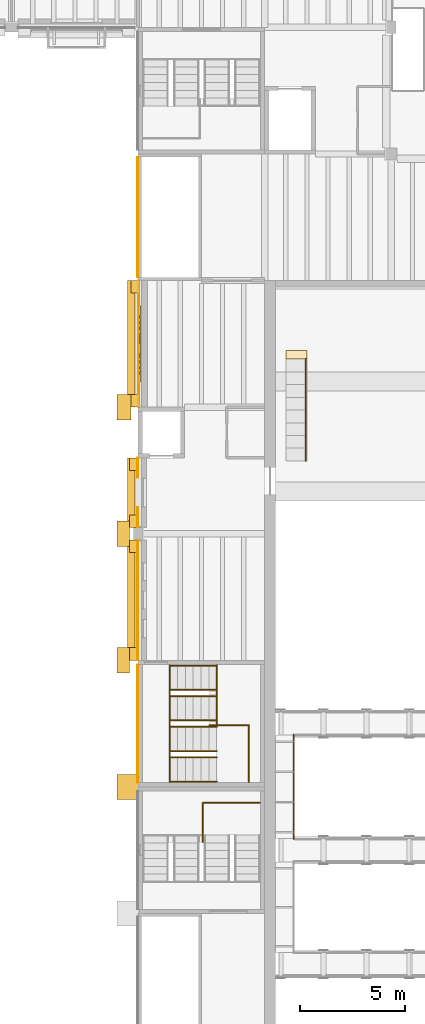
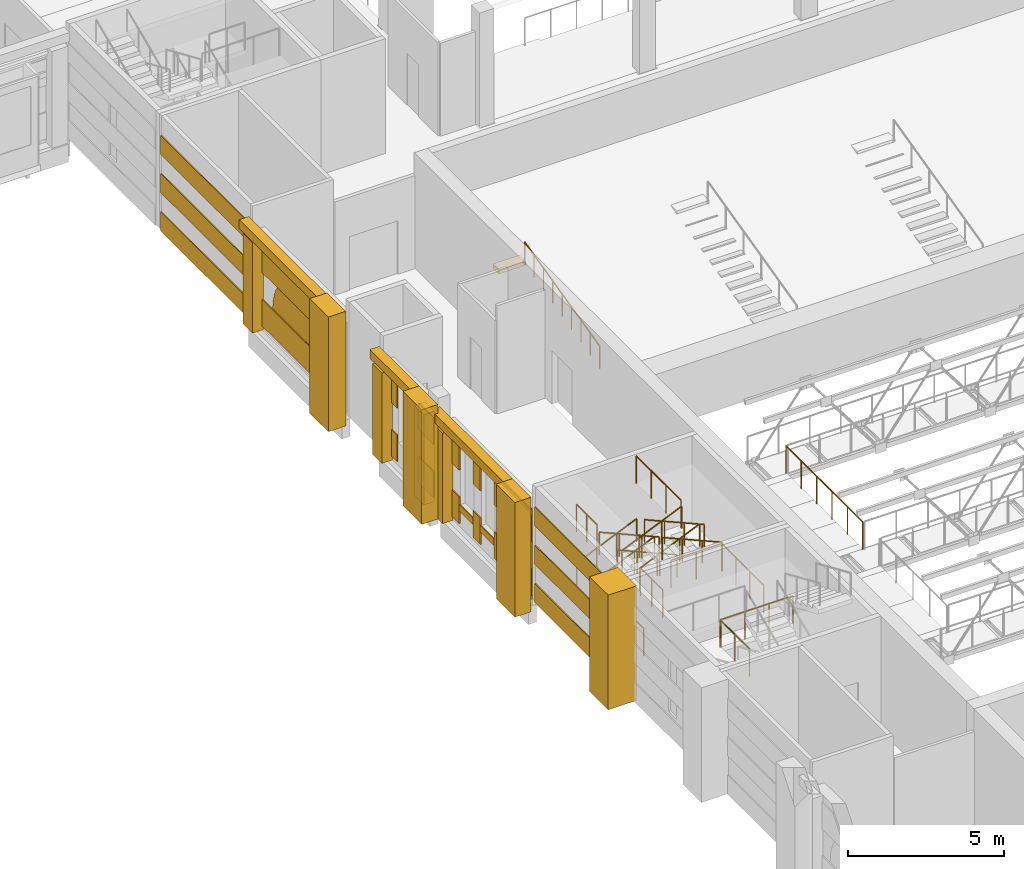
# One storey, part 61 of 70: 37 coverings, 18 railings.
"""IFC4 building model written with IfcOpenShell, lengths in metres."""

from ifc_helpers import new_model, si_unit, direction, frame, origin, origin_2d, place, context, subcontext, project, spatial, polyline, rectangle, circle, outline, extrude, material, layer, layer_set, type_object, element, save


model = new_model("IFC4")

# Units and contexts
model_context = context("Model", 3, precision=1e-05, world=origin(), true_north=direction((0.0, 1.0)))
body_context = subcontext(model_context, "Body", "Model", "MODEL_VIEW")
ifc_project = project(units=[si_unit("LENGTHUNIT", "METRE"), si_unit("AREAUNIT", "SQUARE_METRE"), si_unit("VOLUMEUNIT", "CUBIC_METRE"), si_unit("PLANEANGLEUNIT", "RADIAN"), si_unit("MASSUNIT", "GRAM", prefix="KILO")], contexts=[model_context])

# Site, building, storey
site_placement = place(None, origin())
site = spatial("IfcSite", under=ifc_project, at=site_placement, CompositionType="ELEMENT")
building_placement = place(site_placement, origin())
building = spatial("IfcBuilding", under=site, at=building_placement, Name="Saffron Lane Theatres", CompositionType="ELEMENT")
storey_placement = place(building_placement, frame((0.0, 0.0, 12.0)))
storey = spatial("IfcBuildingStorey", under=building, at=storey_placement, Name="L02", CompositionType="ELEMENT", Elevation=12.0)

# Coverings
ifc_material_1 = material(Name="Masonry pale clay brick", Category="masonry")
ifc_layer_1 = layer(ifc_material_1, 0.050048828125)
ifc_layer_set_1 = layer_set([ifc_layer_1], Name="Masonry pale clay brick")
covering_type_1 = type_object("IfcCoveringType", Name="EX-ARCH PANEL BRICK 50", PredefinedType="CLADDING", material=ifc_layer_set_1)
covering_1_placement = place(storey_placement, frame((12.10009765625, 85.199951171875, 1.199951171875), z_axis=(1.0, 0.0, 0.0), x_axis=(0.0, 0.0, -1.0)))
element("IfcCovering", 1, at=covering_1_placement, inside=storey, type_object=covering_type_1, Name="Blind arch panel 13", PredefinedType="CLADDING", context=body_context, shape_type="SweptSolid", body=[
    extrude(outline(polyline([(0.0, 0.0), (0.89990234375, 0.0), (0.89990234375, 3.60009765625), (0.0, 3.60009765625), (-0.28515625, 3.578125), (-0.56201171875, 3.512939453125), (-0.8271484375, 3.405029296875), (-1.071044921875, 3.258056640625), (-1.291015625, 3.075927734375), (-1.47900390625, 2.862060546875), (-1.633056640625, 2.62109375), (-1.7470703125, 2.360107421875), (-1.820068359375, 2.083984375), (-1.85009765625, 1.800048828125), (-1.820068359375, 1.51611328125), (-1.7470703125, 1.239990234375), (-1.633056640625, 0.97900390625), (-1.47900390625, 0.738037109375), (-1.291015625, 0.524169921875), (-1.071044921875, 0.342041015625), (-0.8271484375, 0.195068359375), (-0.56201171875, 0.087158203125), (-0.28515625, 0.02197265625), (0.0, 0.0)])), origin(), (0.0, 0.0, -1.0), 0.050048828125),
])
ifc_material_2 = material(Name="Masonry sandstone", Category="masonry")
ifc_layer_2 = layer(ifc_material_2, 0.0400390625)
ifc_layer_set_2 = layer_set([ifc_layer_2], Name="Masonry sandstone")
covering_type_2 = type_object("IfcCoveringType", Name="EX-BANDING COURSE SANDSTONE 40", PredefinedType="CLADDING", material=ifc_layer_set_2)
for number, where, z_axis, x_axis, name in (
    (2, (11.97998046875, 69.0, 0.0), (0.0, 0.0, 1.0), (0.0, 1.0, 0.0), "Banding course L02"),
    (3, (11.97998046875, 69.0, 1.5), (0.0, 0.0, 1.0), (0.0, 1.0, 0.0), "Banding course L02"),
    (4, (11.97998046875, 69.0, 3.0), (0.0, 0.0, 1.0), (0.0, 1.0, 0.0), "Banding course L02"),
):
    element("IfcCovering", number, at=place(storey_placement, frame(where, z_axis=z_axis, x_axis=x_axis)), inside=storey, type_object=covering_type_2, Name=name, PredefinedType="CLADDING", context=body_context, shape_type="SweptSolid", body=[
        extrude(rectangle(XDim=5.60009765625, YDim=0.0400390625, at=origin_2d()), origin(), (0.0, 0.0, 1.0), 0.75),
    ])
for number, where, z_axis, x_axis, name in (
    (5, (11.97998046875, 93.0, 0.0), (0.0, 0.0, 1.0), (0.0, 1.0, 0.0), "Banding course L02"),
    (6, (11.97998046875, 93.0, 1.5), (0.0, 0.0, 1.0), (0.0, 1.0, 0.0), "Banding course L02"),
    (7, (11.97998046875, 93.0, 3.0), (0.0, 0.0, 1.0), (0.0, 1.0, 0.0), "Banding course L02"),
):
    element("IfcCovering", number, at=place(storey_placement, frame(where, z_axis=z_axis, x_axis=x_axis)), inside=storey, type_object=covering_type_2, Name=name, PredefinedType="CLADDING", context=body_context, shape_type="SweptSolid", body=[
        extrude(rectangle(XDim=5.699951171875, YDim=0.0400390625, at=origin_2d()), origin(), (0.0, 0.0, 1.0), 0.75),
    ])
ifc_material_3 = material(Name="Face brick cladding, pale buff", Category="masonry")
ifc_layer_3 = layer(ifc_material_3, 0.0400390625)
ifc_layer_set_3 = layer_set([ifc_layer_3], Name="Face brick cladding, pale buff")
covering_type_3 = type_object("IfcCoveringType", Name="EX-FACE BRICK CLADDING PALE BUFF 40", PredefinedType="CLADDING", material=ifc_layer_set_3)
covering_2_placement = place(storey_placement, frame((11.97998046875, 72.527099609375, 0.14990234375), z_axis=(0.0, 0.0, 1.0), x_axis=(0.0, 1.0, 0.0)))
element("IfcCovering", 8, at=covering_2_placement, inside=storey, type_object=covering_type_3, Name="Cladding course L02", PredefinedType="CLADDING", context=body_context, shape_type="SweptSolid", body=[
    extrude(rectangle(XDim=1.054931640625, YDim=0.0400390625, at=origin_2d()), origin(), (0.0, 0.0, 1.0), 1.050048828125),
])
for number, where, z_axis, x_axis, name in (
    (9, (11.97998046875, 74.175048828125, 0.14990234375), (0.0, 0.0, 1.0), (0.0, 1.0, 0.0), "Cladding course L02"),
    (10, (11.97998046875, 75.52490234375, 0.14990234375), (0.0, 0.0, 1.0), (0.0, 1.0, 0.0), "Cladding course L02"),
):
    element("IfcCovering", number, at=place(storey_placement, frame(where, z_axis=z_axis, x_axis=x_axis)), inside=storey, type_object=covering_type_3, Name=name, PredefinedType="CLADDING", context=body_context, shape_type="SweptSolid", body=[
        extrude(rectangle(XDim=0.4599609375, YDim=0.0400390625, at=origin_2d()), origin(), (0.0, 0.0, 1.0), 1.050048828125),
    ])
for number, where, z_axis, x_axis, name in (
    (11, (11.97998046875, 77.172119140625, 0.14990234375), (0.0, 0.0, 1.0), (0.0, 1.0, 0.0), "Cladding course L02"),
    (12, (11.97998046875, 72.527099609375, 2.25), (0.0, 0.0, 1.0), (0.0, 1.0, 0.0), "Cladding course L02"),
):
    element("IfcCovering", number, at=place(storey_placement, frame(where, z_axis=z_axis, x_axis=x_axis)), inside=storey, type_object=covering_type_3, Name=name, PredefinedType="CLADDING", context=body_context, shape_type="SweptSolid", body=[
        extrude(rectangle(XDim=1.054931640625, YDim=0.0400390625, at=origin_2d()), origin(), (0.0, 0.0, 1.0), 1.050048828125),
    ])
for number, where, z_axis, x_axis, name in (
    (13, (11.97998046875, 74.175048828125, 2.25), (0.0, 0.0, 1.0), (0.0, 1.0, 0.0), "Cladding course L02"),
    (14, (11.97998046875, 75.52490234375, 2.25), (0.0, 0.0, 1.0), (0.0, 1.0, 0.0), "Cladding course L02"),
):
    element("IfcCovering", number, at=place(storey_placement, frame(where, z_axis=z_axis, x_axis=x_axis)), inside=storey, type_object=covering_type_3, Name=name, PredefinedType="CLADDING", context=body_context, shape_type="SweptSolid", body=[
        extrude(rectangle(XDim=0.4599609375, YDim=0.0400390625, at=origin_2d()), origin(), (0.0, 0.0, 1.0), 1.050048828125),
    ])
covering_3_placement = place(storey_placement, frame((11.97998046875, 77.172119140625, 2.25), z_axis=(0.0, 0.0, 1.0), x_axis=(0.0, 1.0, 0.0)))
element("IfcCovering", 15, at=covering_3_placement, inside=storey, type_object=covering_type_3, Name="Cladding course L02", PredefinedType="CLADDING", context=body_context, shape_type="SweptSolid", body=[
    extrude(rectangle(XDim=1.054931640625, YDim=0.0400390625, at=origin_2d()), origin(), (0.0, 0.0, 1.0), 1.050048828125),
])
for number, where, z_axis, x_axis, name in (
    (16, (11.97998046875, 78.778076171875, 0.14990234375), (0.0, 0.0, 1.0), (0.0, 1.0, 0.0), "Cladding course L02"),
    (17, (11.97998046875, 81.123046875, 0.14990234375), (0.0, 0.0, 1.0), (0.0, 1.0, 0.0), "Cladding course L02"),
    (18, (11.97998046875, 78.778076171875, 2.25), (0.0, 0.0, 1.0), (0.0, 1.0, 0.0), "Cladding course L02"),
    (19, (11.97998046875, 81.123046875, 2.25), (0.0, 0.0, 1.0), (0.0, 1.0, 0.0), "Cladding course L02"),
):
    element("IfcCovering", number, at=place(storey_placement, frame(where, z_axis=z_axis, x_axis=x_axis)), inside=storey, type_object=covering_type_3, Name=name, PredefinedType="CLADDING", context=body_context, shape_type="SweptSolid", body=[
        extrude(rectangle(XDim=0.955078125, YDim=0.0400390625, at=origin_2d()), origin(), (0.0, 0.0, 1.0), 1.050048828125),
    ])
for number, where, z_axis, x_axis, name in (
    (20, (12.030029296875, 87.0, 0.14990234375), (0.0, 0.0, 1.0), (0.0, 1.0, 0.0), "Cladding course L02"),
    (21, (12.030029296875, 87.0, 2.25), (0.0, 0.0, 1.0), (0.0, 1.0, 0.0), "Cladding course L02"),
):
    element("IfcCovering", number, at=place(storey_placement, frame(where, z_axis=z_axis, x_axis=x_axis)), inside=storey, type_object=covering_type_3, Name=name, PredefinedType="CLADDING", context=body_context, shape_type="SweptSolid", body=[
        extrude(rectangle(XDim=6.0, YDim=0.0400390625, at=origin_2d()), origin(), (0.0, 0.0, 1.0), 1.050048828125),
    ])
ifc_material_4 = material(Name="Masonry sandstone", Category="masonry")
ifc_layer_4 = layer(ifc_material_4, 1.199951171875)
ifc_layer_set_4 = layer_set([ifc_layer_4], Name="Masonry sandstone")
covering_type_4 = type_object("IfcCoveringType", Name="EX-FLANK BUTTRESS PIER SANDSTONE 1200", PredefinedType="CLADDING", material=ifc_layer_set_4)
covering_4_placement = place(storey_placement, frame((11.52490234375, 66.0, 0.0), z_axis=(0.0, 0.0, 1.0), x_axis=(0.0, 1.0, 0.0)))
element("IfcCovering", 22, at=covering_4_placement, inside=storey, type_object=covering_type_4, Name="Flank buttress west L02", PredefinedType="CLADDING", context=body_context, shape_type="SweptSolid", body=[
    extrude(rectangle(XDim=1.199951171875, YDim=1.050048828125, at=origin_2d()), origin(), (0.0, 0.0, 1.0), 4.5),
])
for number, where, z_axis, x_axis, name in (
    (23, (11.300048828125, 72.0, 0.0), (0.0, 0.0, 1.0), (0.0, 1.0, 0.0), "Flank buttress west L02"),
    (24, (11.300048828125, 78.0, 0.0), (0.0, 0.0, 1.0), (0.0, 1.0, 0.0), "Flank buttress west L02"),
):
    element("IfcCovering", number, at=place(storey_placement, frame(where, z_axis=z_axis, x_axis=x_axis)), inside=storey, type_object=covering_type_4, Name=name, PredefinedType="CLADDING", context=body_context, shape_type="SweptSolid", body=[
        extrude(rectangle(XDim=1.199951171875, YDim=0.60009765625, at=origin_2d()), origin(), (0.0, 0.0, 1.0), 4.5),
    ])
covering_5_placement = place(storey_placement, frame((11.324951171875, 84.0, 0.0), z_axis=(0.0, 0.0, 1.0), x_axis=(0.0, 1.0, 0.0)))
element("IfcCovering", 25, at=covering_5_placement, inside=storey, type_object=covering_type_4, Name="Flank buttress west L02", PredefinedType="CLADDING", context=body_context, shape_type="SweptSolid", body=[
    extrude(rectangle(XDim=1.199951171875, YDim=0.64990234375, at=origin_2d()), origin(), (0.0, 0.0, 1.0), 4.5),
])
ifc_material_5 = material(Name="Masonry sandstone", Category="masonry")
ifc_layer_5 = layer(ifc_material_5, 0.0400390625)
ifc_layer_set_5 = layer_set([ifc_layer_5], Name="Masonry sandstone")
covering_type_5 = type_object("IfcCoveringType", Name="EX-HEAD COURSE SANDSTONE 150", PredefinedType="CLADDING", material=ifc_layer_set_5)
covering_6_placement = place(storey_placement, frame((11.97998046875, 74.85009765625, 3.35009765625), z_axis=(0.0, 0.0, 1.0), x_axis=(0.0, 1.0, 0.0)))
element("IfcCovering", 26, at=covering_6_placement, inside=storey, type_object=covering_type_5, Name="Facade head course L02", PredefinedType="CLADDING", context=body_context, shape_type="SweptSolid", body=[
    extrude(rectangle(XDim=5.699951171875, YDim=0.0400390625, at=origin_2d()), origin(), (0.0, 0.0, 1.0), 0.14990234375),
])
ifc_material_6 = material(Name="Masonry sandstone", Category="masonry")
ifc_layer_6 = layer(ifc_material_6, 0.39990234375)
ifc_layer_set_6 = layer_set([ifc_layer_6], Name="Masonry sandstone")
covering_type_6 = type_object("IfcCoveringType", Name="EX-PILASTER PIER SANDSTONE 400", PredefinedType="CLADDING", material=ifc_layer_set_6)
for number, where, z_axis, x_axis, name in (
    (27, (11.800048828125, 72.300048828125, 0.0), (0.0, 0.0, 1.0), (0.0, 1.0, 0.0), "Pilaster pier L02"),
    (28, (11.800048828125, 77.39990234375, 0.0), (0.0, 0.0, 1.0), (0.0, 1.0, 0.0), "Pilaster pier L02"),
    (29, (11.800048828125, 78.60009765625, 0.0), (0.0, 0.0, 1.0), (0.0, 1.0, 0.0), "Pilaster pier L02"),
    (30, (11.800048828125, 81.300048828125, 0.0), (0.0, 0.0, 1.0), (0.0, 1.0, 0.0), "Pilaster pier L02"),
    (31, (11.85009765625, 84.300048828125, 0.0), (0.0, 0.0, 1.0), (0.0, 1.0, 0.0), "Pilaster pier L02"),
    (32, (11.85009765625, 89.699951171875, 0.0), (0.0, 0.0, 1.0), (0.0, 1.0, 0.0), "Pilaster pier L02"),
):
    element("IfcCovering", number, at=place(storey_placement, frame(where, z_axis=z_axis, x_axis=x_axis)), inside=storey, type_object=covering_type_6, Name=name, PredefinedType="CLADDING", context=body_context, shape_type="SweptSolid", body=[
        extrude(rectangle(XDim=0.60009765625, YDim=0.39990234375, at=origin_2d()), origin(), (0.0, 0.0, 1.0), 3.550048828125),
    ])
ifc_material_7 = material(Name="Masonry sandstone", Category="masonry")
ifc_layer_7 = layer(ifc_material_7, 0.0400390625)
ifc_layer_set_7 = layer_set([ifc_layer_7], Name="Masonry sandstone")
covering_type_7 = type_object("IfcCoveringType", Name="EX-SILL COURSE SANDSTONE 250", PredefinedType="CLADDING", material=ifc_layer_set_7)
covering_7_placement = place(storey_placement, frame((11.97998046875, 74.85009765625, 0.64990234375), z_axis=(0.0, 0.0, 1.0), x_axis=(0.0, 1.0, 0.0)))
element("IfcCovering", 33, at=covering_7_placement, inside=storey, type_object=covering_type_7, Name="Facade sill course L02", PredefinedType="CLADDING", context=body_context, shape_type="SweptSolid", body=[
    extrude(rectangle(XDim=5.699951171875, YDim=0.0400390625, at=origin_2d()), origin(), (0.0, 0.0, 1.0), 0.25),
])
ifc_material_8 = material(Name="Masonry sandstone", Category="masonry")
ifc_layer_8 = layer(ifc_material_8, 0.300048828125)
ifc_layer_set_8 = layer_set([ifc_layer_8], Name="Masonry sandstone")
covering_type_8 = type_object("IfcCoveringType", Name="EX-STRING COURSE SANDSTONE 350", PredefinedType="CLADDING", material=ifc_layer_set_8)
covering_8_placement = place(storey_placement, frame((11.675048828125, 74.85009765625, 3.800048828125), z_axis=(0.0, 0.0, 1.0), x_axis=(0.0, 1.0, 0.0)))
element("IfcCovering", 34, at=covering_8_placement, inside=storey, type_object=covering_type_8, Name="String course L02", PredefinedType="CLADDING", context=body_context, shape_type="SweptSolid", body=[
    extrude(rectangle(XDim=5.699951171875, YDim=0.35009765625, at=origin_2d()), origin(), (0.0, 0.0, 1.0), 0.35009765625),
])
covering_9_placement = place(storey_placement, frame((11.675048828125, 79.949951171875, 3.800048828125), z_axis=(0.0, 0.0, 1.0), x_axis=(0.0, 1.0, 0.0)))
element("IfcCovering", 35, at=covering_9_placement, inside=storey, type_object=covering_type_8, Name="String course L02", PredefinedType="CLADDING", context=body_context, shape_type="SweptSolid", body=[
    extrude(rectangle(XDim=3.300048828125, YDim=0.35009765625, at=origin_2d()), origin(), (0.0, 0.0, 1.0), 0.35009765625),
])
covering_10_placement = place(storey_placement, frame((11.675048828125, 87.0, 3.800048828125), z_axis=(0.0, 0.0, 1.0), x_axis=(0.0, 1.0, 0.0)))
element("IfcCovering", 36, at=covering_10_placement, inside=storey, type_object=covering_type_8, Name="String course L02", PredefinedType="CLADDING", context=body_context, shape_type="SweptSolid", body=[
    extrude(rectangle(XDim=6.0, YDim=0.35009765625, at=origin_2d()), origin(), (0.0, 0.0, 1.0), 0.35009765625),
])
ifc_material_9 = material(Name="Cement screed", Category="screed")
covering_type_9 = type_object("IfcCoveringType", Name="VC-AISLE PLATFORM", PredefinedType="FLOORING", material=ifc_material_9)
covering_11_placement = place(storey_placement, frame((0.0, 0.0, 1.64501953125)))
element("IfcCovering", 37, at=covering_11_placement, inside=storey, type_object=covering_type_9, Name="Dress Circle aisle 1 landing 1", PredefinedType="FLOORING", context=body_context, shape_type="SweptSolid", body=[
    extrude(outline(polyline([(19.0, 86.278076171875), (20.0, 86.278076171875), (20.0, 86.677978515625), (19.0, 86.677978515625), (19.0, 86.278076171875)])), origin(), (0.0, 0.0, 1.0), 0.157958984375),
])

# Railings
ifc_material_10 = material(Name="Steel Grade 350", Category="steel")
railing_type_1 = type_object("IfcRailingType", Name="VC-GUARD 1100", PredefinedType="GUARDRAIL", material=ifc_material_10)
railing_1_placement = place(storey_placement, frame((17.25, 68.89990234375, 1.125)))
element("IfcRailing", 38, at=railing_1_placement, inside=storey, type_object=railing_type_1, Name="Auditorium West Rear Stair landing guard 3N1s", PredefinedType="GUARDRAIL", context=body_context, shape_type="SweptSolid", body=[
    extrude(circle(Radius=0.02392578125, at=origin_2d()), frame((0.0, 0.0, 1.076171875), z_axis=(0.0, -1.0, 0.0), x_axis=(1.0, 0.0, 0.0)), (0.0, 0.0, 1.0), 2.669921875),
    extrude(circle(Radius=0.02099609375, at=origin_2d()), origin(), (0.0, 0.0, 1.0), 1.052001953125),
    extrude(circle(Radius=0.02099609375, at=origin_2d()), frame((0.0, -0.889892578125, 0.0)), (0.0, 0.0, 1.0), 1.052001953125),
    extrude(circle(Radius=0.02099609375, at=origin_2d()), frame((0.0, -1.780029296875, 0.0)), (0.0, 0.0, 1.0), 1.052001953125),
    extrude(circle(Radius=0.02099609375, at=origin_2d()), frame((0.0, -2.669921875, 0.0)), (0.0, 0.0, 1.0), 1.052001953125),
])
railing_2_placement = place(storey_placement, frame((15.3701171875, 68.929931640625, 1.125)))
element("IfcRailing", 39, at=railing_2_placement, inside=storey, type_object=railing_type_1, Name="Auditorium West Rear Stair landing guard 3N1e", PredefinedType="GUARDRAIL", context=body_context, shape_type="SweptSolid", body=[
    extrude(circle(Radius=0.02392578125, at=origin_2d()), frame((0.0, 0.0, 1.076171875), z_axis=(1.0, 0.0, 0.0), x_axis=(0.0, 1.0, 0.0)), (0.0, 0.0, 1.0), 1.8798828125),
    extrude(circle(Radius=0.02099609375, at=origin_2d()), origin(), (0.0, 0.0, 1.0), 1.052001953125),
    extrude(circle(Radius=0.02099609375, at=origin_2d()), frame((0.93994140625, 0.0, 0.0)), (0.0, 0.0, 1.0), 1.052001953125),
    extrude(circle(Radius=0.02099609375, at=origin_2d()), frame((1.8798828125, 0.0, 0.0)), (0.0, 0.0, 1.0), 1.052001953125),
])
railing_3_placement = place(storey_placement, frame((15.719970703125, 71.77001953125, 3.375)))
element("IfcRailing", 40, at=railing_3_placement, inside=storey, type_object=railing_type_1, Name="Auditorium West Rear Stair landing guard 3N2s", PredefinedType="GUARDRAIL", context=body_context, shape_type="SweptSolid", body=[
    extrude(circle(Radius=0.02392578125, at=origin_2d()), frame((0.0, 0.0, 1.076171875), z_axis=(0.0, -1.0, 0.0), x_axis=(1.0, 0.0, 0.0)), (0.0, 0.0, 1.0), 2.8701171875),
    extrude(circle(Radius=0.02099609375, at=origin_2d()), origin(), (0.0, 0.0, 1.0), 1.052001953125),
    extrude(circle(Radius=0.02099609375, at=origin_2d()), frame((0.0, -0.956787109375, 0.0)), (0.0, 0.0, 1.0), 1.052001953125),
    extrude(circle(Radius=0.02099609375, at=origin_2d()), frame((0.0, -1.913330078125, 0.0)), (0.0, 0.0, 1.0), 1.052001953125),
    extrude(circle(Radius=0.02099609375, at=origin_2d()), frame((0.0, -2.8701171875, 0.0)), (0.0, 0.0, 1.0), 1.052001953125),
])
railing_4_placement = place(storey_placement, frame((13.5, 71.77001953125, 2.25)))
element("IfcRailing", 41, at=railing_4_placement, inside=storey, type_object=railing_type_1, Name="Auditorium West Rear Stair landing guard 3S2w", PredefinedType="GUARDRAIL", context=body_context, shape_type="SweptSolid", body=[
    extrude(circle(Radius=0.02392578125, at=origin_2d()), frame((0.0, 0.0, 1.076171875), z_axis=(0.0, -1.0, 0.0), x_axis=(1.0, 0.0, 0.0)), (0.0, 0.0, 1.0), 1.320068359375),
    extrude(circle(Radius=0.02099609375, at=origin_2d()), origin(), (0.0, 0.0, 1.0), 1.052001953125),
    extrude(circle(Radius=0.02099609375, at=origin_2d()), frame((0.0, -0.66015625, 0.0)), (0.0, 0.0, 1.0), 1.052001953125),
    extrude(circle(Radius=0.02099609375, at=origin_2d()), frame((0.0, -1.320068359375, 0.0)), (0.0, 0.0, 1.0), 1.052001953125),
])
railing_5_placement = place(storey_placement, frame((13.5, 67.64990234375, 2.25)))
element("IfcRailing", 42, at=railing_5_placement, inside=storey, type_object=railing_type_1, Name="Auditorium West Rear Stair landing guard 3S2e", PredefinedType="GUARDRAIL", context=body_context, shape_type="SweptSolid", body=[
    extrude(circle(Radius=0.02392578125, at=origin_2d()), frame((0.0, 0.0, 1.076171875), z_axis=(0.0, -1.0, 0.0), x_axis=(1.0, 0.0, 0.0)), (0.0, 0.0, 1.0), 1.419921875),
    extrude(circle(Radius=0.02099609375, at=origin_2d()), origin(), (0.0, 0.0, 1.0), 1.052001953125),
    extrude(circle(Radius=0.02099609375, at=origin_2d()), frame((0.0, -0.7099609375, 0.0)), (0.0, 0.0, 1.0), 1.052001953125),
    extrude(circle(Radius=0.02099609375, at=origin_2d()), frame((0.0, -1.419921875, 0.0)), (0.0, 0.0, 1.0), 1.052001953125),
])
railing_6_placement = place(storey_placement, frame((13.5, 70.550048828125, 0.0)))
element("IfcRailing", 43, at=railing_6_placement, inside=storey, type_object=railing_type_1, Name="Auditorium West Rear Stair guard L02", PredefinedType="GUARDRAIL", context=body_context, shape_type="SweptSolid", body=[
    extrude(circle(Radius=0.02392578125, at=origin_2d()), frame((0.0, 0.0, 1.076171875), z_axis=(0.0, -1.0, 0.0), x_axis=(1.0, 0.0, 0.0)), (0.0, 0.0, 1.0), 3.10009765625),
    extrude(circle(Radius=0.02099609375, at=origin_2d()), origin(), (0.0, 0.0, 1.0), 1.052001953125),
    extrude(circle(Radius=0.02099609375, at=origin_2d()), frame((0.0, -1.033447265625, 0.0)), (0.0, 0.0, 1.0), 1.052001953125),
    extrude(circle(Radius=0.02099609375, at=origin_2d()), frame((0.0, -2.066650390625, 0.0)), (0.0, 0.0, 1.0), 1.052001953125),
    extrude(circle(Radius=0.02099609375, at=origin_2d()), frame((0.0, -3.10009765625, 0.0)), (0.0, 0.0, 1.0), 1.052001953125),
])
railing_7_placement = place(storey_placement, frame((15.10009765625, 65.25, 1.125)))
element("IfcRailing", 44, at=railing_7_placement, inside=storey, type_object=railing_type_1, Name="Auditorium West Front Stair landing guard 3N1s", PredefinedType="GUARDRAIL", context=body_context, shape_type="SweptSolid", body=[
    extrude(circle(Radius=0.02392578125, at=origin_2d()), frame((0.0, 0.0, 1.076171875), z_axis=(1.0, 0.0, 0.0), x_axis=(0.0, 1.0, 0.0)), (0.0, 0.0, 1.0), 2.669921875),
    extrude(circle(Radius=0.02099609375, at=origin_2d()), origin(), (0.0, 0.0, 1.0), 1.052001953125),
    extrude(circle(Radius=0.02099609375, at=origin_2d()), frame((0.889892578125, 0.0, 0.0)), (0.0, 0.0, 1.0), 1.052001953125),
    extrude(circle(Radius=0.02099609375, at=origin_2d()), frame((1.780029296875, 0.0, 0.0)), (0.0, 0.0, 1.0), 1.052001953125),
    extrude(circle(Radius=0.02099609375, at=origin_2d()), frame((2.669921875, 0.0, 0.0)), (0.0, 0.0, 1.0), 1.052001953125),
])
railing_8_placement = place(storey_placement, frame((15.070068359375, 63.3701171875, 1.125)))
element("IfcRailing", 45, at=railing_8_placement, inside=storey, type_object=railing_type_1, Name="Auditorium West Front Stair landing guard 3N1e", PredefinedType="GUARDRAIL", context=body_context, shape_type="SweptSolid", body=[
    extrude(circle(Radius=0.02392578125, at=origin_2d()), frame((0.0, 0.0, 1.076171875), z_axis=(0.0, 1.0, 0.0), x_axis=(-1.0, 0.0, 0.0)), (0.0, 0.0, 1.0), 1.8798828125),
    extrude(circle(Radius=0.02099609375, at=origin_2d()), origin(), (0.0, 0.0, 1.0), 1.052001953125),
    extrude(circle(Radius=0.02099609375, at=origin_2d()), frame((0.0, 0.93994140625, 0.0)), (0.0, 0.0, 1.0), 1.052001953125),
    extrude(circle(Radius=0.02099609375, at=origin_2d()), frame((0.0, 1.8798828125, 0.0)), (0.0, 0.0, 1.0), 1.052001953125),
])
ifc_material_11 = material(Name="Steel Grade 350", Category="steel")
railing_type_2 = type_object("IfcRailingType", Name="VC-HANDRAIL 900", PredefinedType="HANDRAIL", material=ifc_material_11)
for number, where, name in (
    (46, (13.5, 71.75, 0.16064453125), "Auditorium West Rear Stair handrail 3.1a"),
    (47, (13.5, 70.60009765625, 0.16064453125), "Auditorium West Rear Stair handrail 3.1b"),
):
    element("IfcRailing", number, at=place(storey_placement, frame(where)), inside=storey, type_object=railing_type_2, Name=name, PredefinedType="HANDRAIL", context=body_context, shape_type="SweptSolid", body=[
        extrude(circle(Radius=0.02392578125, at=origin_2d()), frame((0.0, 0.0, 0.8759765625), z_axis=(0.917161435653, 0.0, 0.398515872898), x_axis=(0.0, 1.0, 0.0)), (0.0, 0.0, 1.0), 0.806884765625),
        extrude(circle(Radius=0.02392578125, at=origin_2d()), frame((0.739990234375, 0.0, 1.197265625), z_axis=(0.917272012673, 0.0, 0.398261289567), x_axis=(0.0, 1.0, 0.0)), (0.0, 0.0, 1.0), 0.806640625),
        extrude(circle(Radius=0.02392578125, at=origin_2d()), frame((1.47998046875, 0.0, 1.5185546875), z_axis=(0.917161435653, 0.0, 0.398515872898), x_axis=(0.0, 1.0, 0.0)), (0.0, 0.0, 1.0), 0.806884765625),
        extrude(circle(Radius=0.02099609375, at=origin_2d()), origin(), (0.0, 0.0, 1.0), 0.851806640625),
        extrude(circle(Radius=0.02099609375, at=origin_2d()), frame((0.739990234375, 0.0, 0.321533203125)), (0.0, 0.0, 1.0), 0.851806640625),
        extrude(circle(Radius=0.02099609375, at=origin_2d()), frame((1.47998046875, 0.0, 0.642822265625)), (0.0, 0.0, 1.0), 0.851806640625),
        extrude(circle(Radius=0.02099609375, at=origin_2d()), frame((2.219970703125, 0.0, 0.96435546875)), (0.0, 0.0, 1.0), 0.851806640625),
    ])
for number, where, name in (
    (48, (15.719970703125, 70.300048828125, 1.28564453125), "Auditorium West Rear Stair handrail 3.2a"),
    (49, (15.719970703125, 69.14990234375, 1.28564453125), "Auditorium West Rear Stair handrail 3.2b"),
):
    element("IfcRailing", number, at=place(storey_placement, frame(where)), inside=storey, type_object=railing_type_2, Name=name, PredefinedType="HANDRAIL", context=body_context, shape_type="SweptSolid", body=[
        extrude(circle(Radius=0.02392578125, at=origin_2d()), frame((0.0, 0.0, 0.8759765625), z_axis=(-0.917161435653, 0.0, 0.398515872898), x_axis=(0.0, -1.0, 0.0)), (0.0, 0.0, 1.0), 0.806884765625),
        extrude(circle(Radius=0.02392578125, at=origin_2d()), frame((-0.739990234375, 0.0, 1.197265625), z_axis=(-0.917272012673, 0.0, 0.398261289567), x_axis=(0.0, -1.0, 0.0)), (0.0, 0.0, 1.0), 0.806640625),
        extrude(circle(Radius=0.02392578125, at=origin_2d()), frame((-1.47998046875, 0.0, 1.5185546875), z_axis=(-0.917161435653, 0.0, 0.398515872898), x_axis=(0.0, -1.0, 0.0)), (0.0, 0.0, 1.0), 0.806884765625),
        extrude(circle(Radius=0.02099609375, at=origin_2d()), origin(), (0.0, 0.0, 1.0), 0.851806640625),
        extrude(circle(Radius=0.02099609375, at=origin_2d()), frame((-0.739990234375, 0.0, 0.321533203125)), (0.0, 0.0, 1.0), 0.851806640625),
        extrude(circle(Radius=0.02099609375, at=origin_2d()), frame((-1.47998046875, 0.0, 0.642822265625)), (0.0, 0.0, 1.0), 0.851806640625),
        extrude(circle(Radius=0.02099609375, at=origin_2d()), frame((-2.219970703125, 0.0, 0.96435546875)), (0.0, 0.0, 1.0), 0.851806640625),
    ])
for number, where, name in (
    (50, (13.5, 68.85009765625, 2.41064453125), "Auditorium West Rear Stair handrail 3.3a"),
    (51, (13.5, 67.699951171875, 2.41064453125), "Auditorium West Rear Stair handrail 3.3b"),
):
    element("IfcRailing", number, at=place(storey_placement, frame(where)), inside=storey, type_object=railing_type_2, Name=name, PredefinedType="HANDRAIL", context=body_context, shape_type="SweptSolid", body=[
        extrude(circle(Radius=0.02392578125, at=origin_2d()), frame((0.0, 0.0, 0.8759765625), z_axis=(0.917161435653, 0.0, 0.398515872898), x_axis=(0.0, 1.0, 0.0)), (0.0, 0.0, 1.0), 0.806884765625),
        extrude(circle(Radius=0.02392578125, at=origin_2d()), frame((0.739990234375, 0.0, 1.197265625), z_axis=(0.917272012673, 0.0, 0.398261289567), x_axis=(0.0, 1.0, 0.0)), (0.0, 0.0, 1.0), 0.806640625),
        extrude(circle(Radius=0.02392578125, at=origin_2d()), frame((1.47998046875, 0.0, 1.5185546875), z_axis=(0.917161435653, 0.0, 0.398515872898), x_axis=(0.0, 1.0, 0.0)), (0.0, 0.0, 1.0), 0.806884765625),
        extrude(circle(Radius=0.02099609375, at=origin_2d()), origin(), (0.0, 0.0, 1.0), 0.851806640625),
        extrude(circle(Radius=0.02099609375, at=origin_2d()), frame((0.739990234375, 0.0, 0.321533203125)), (0.0, 0.0, 1.0), 0.851806640625),
        extrude(circle(Radius=0.02099609375, at=origin_2d()), frame((1.47998046875, 0.0, 0.642822265625)), (0.0, 0.0, 1.0), 0.851806640625),
        extrude(circle(Radius=0.02099609375, at=origin_2d()), frame((2.219970703125, 0.0, 0.96435546875)), (0.0, 0.0, 1.0), 0.851806640625),
    ])
for number, where, name in (
    (52, (15.719970703125, 67.39990234375, 3.53564453125), "Auditorium West Rear Stair handrail 3.4a"),
    (53, (15.719970703125, 66.25, 3.53564453125), "Auditorium West Rear Stair handrail 3.4b"),
):
    element("IfcRailing", number, at=place(storey_placement, frame(where)), inside=storey, type_object=railing_type_2, Name=name, PredefinedType="HANDRAIL", context=body_context, shape_type="SweptSolid", body=[
        extrude(circle(Radius=0.02392578125, at=origin_2d()), frame((0.0, 0.0, 0.8759765625), z_axis=(-0.917161435653, 0.0, 0.398515872898), x_axis=(0.0, -1.0, 0.0)), (0.0, 0.0, 1.0), 0.806884765625),
        extrude(circle(Radius=0.02392578125, at=origin_2d()), frame((-0.739990234375, 0.0, 1.197265625), z_axis=(-0.917272012673, 0.0, 0.398261289567), x_axis=(0.0, -1.0, 0.0)), (0.0, 0.0, 1.0), 0.806640625),
        extrude(circle(Radius=0.02392578125, at=origin_2d()), frame((-1.47998046875, 0.0, 1.5185546875), z_axis=(-0.917161435653, 0.0, 0.398515872898), x_axis=(0.0, -1.0, 0.0)), (0.0, 0.0, 1.0), 0.806884765625),
        extrude(circle(Radius=0.02099609375, at=origin_2d()), origin(), (0.0, 0.0, 1.0), 0.851806640625),
        extrude(circle(Radius=0.02099609375, at=origin_2d()), frame((-0.739990234375, 0.0, 0.321533203125)), (0.0, 0.0, 1.0), 0.851806640625),
        extrude(circle(Radius=0.02099609375, at=origin_2d()), frame((-1.47998046875, 0.0, 0.642822265625)), (0.0, 0.0, 1.0), 0.851806640625),
        extrude(circle(Radius=0.02099609375, at=origin_2d()), frame((-2.219970703125, 0.0, 0.96435546875)), (0.0, 0.0, 1.0), 0.851806640625),
    ])
railing_9_placement = place(storey_placement, frame((19.949951171875, 81.449951171875, 0.536376953125)))
element("IfcRailing", 54, at=railing_9_placement, inside=storey, type_object=railing_type_2, Name="Dress Circle aisle 1 handrail", PredefinedType="HANDRAIL", context=body_context, shape_type="SweptSolid", body=[
    extrude(circle(Radius=0.02392578125, at=origin_2d()), frame((0.0, 0.0, 0.8759765625), z_axis=(0.0, 0.972412291211, 0.233268806104), x_axis=(-1.0, 0.0, 0.0)), (0.0, 0.0, 1.0), 1.2412109375),
    extrude(circle(Radius=0.02392578125, at=origin_2d()), frame((0.0, 1.20703125, 1.16552734375), z_axis=(0.0, 0.972367660662, 0.233454776134), x_axis=(-1.0, 0.0, 0.0)), (0.0, 0.0, 1.0), 1.2412109375),
    extrude(circle(Radius=0.02392578125, at=origin_2d()), frame((0.0, 2.4140625, 1.455078125), z_axis=(0.0, 0.972412291211, 0.233268806104), x_axis=(-1.0, 0.0, 0.0)), (0.0, 0.0, 1.0), 1.2412109375),
    extrude(circle(Radius=0.02392578125, at=origin_2d()), frame((0.0, 3.62109375, 1.74462890625), z_axis=(0.0, 0.972367660662, 0.233454776134), x_axis=(-1.0, 0.0, 0.0)), (0.0, 0.0, 1.0), 1.2412109375),
    extrude(circle(Radius=0.02099609375, at=origin_2d()), origin(), (0.0, 0.0, 1.0), 0.851806640625),
    extrude(circle(Radius=0.02099609375, at=origin_2d()), frame((0.0, 0.603515625, 0.144775390625)), (0.0, 0.0, 1.0), 0.851806640625),
    extrude(circle(Radius=0.02099609375, at=origin_2d()), frame((0.0, 1.20703125, 0.28955078125)), (0.0, 0.0, 1.0), 0.851806640625),
    extrude(circle(Radius=0.02099609375, at=origin_2d()), frame((0.0, 1.810546875, 0.4345703125)), (0.0, 0.0, 1.0), 0.851806640625),
    extrude(circle(Radius=0.02099609375, at=origin_2d()), frame((0.0, 2.4140625, 0.579345703125)), (0.0, 0.0, 1.0), 0.851806640625),
    extrude(circle(Radius=0.02099609375, at=origin_2d()), frame((0.0, 3.017578125, 0.72412109375)), (0.0, 0.0, 1.0), 0.851806640625),
    extrude(circle(Radius=0.02099609375, at=origin_2d()), frame((0.0, 3.62109375, 0.868896484375)), (0.0, 0.0, 1.0), 0.851806640625),
    extrude(circle(Radius=0.02099609375, at=origin_2d()), frame((0.0, 4.224609375, 1.013671875)), (0.0, 0.0, 1.0), 0.851806640625),
    extrude(circle(Radius=0.02099609375, at=origin_2d()), frame((0.0, 4.828125, 1.15869140625)), (0.0, 0.0, 1.0), 0.851806640625),
])
railing_10_placement = place(storey_placement, frame((19.3701171875, 63.530029296875, 4.5)))
element("IfcRailing", 55, at=railing_10_placement, inside=storey, Name="CRW2", PredefinedType="GUARDRAIL", context=body_context, shape_type="SweptSolid", body=[
    extrude(circle(Radius=0.02392578125, at=origin_2d()), frame((0.0, 0.0, 1.076171875), z_axis=(0.0, 1.0, 0.0), x_axis=(-1.0, 0.0, 0.0)), (0.0, 0.0, 1.0), 4.93994140625),
    extrude(circle(Radius=0.02099609375, at=origin_2d()), origin(), (0.0, 0.0, 1.0), 1.052001953125),
    extrude(circle(Radius=0.02099609375, at=origin_2d()), frame((0.0, 0.988037109375, 0.0)), (0.0, 0.0, 1.0), 1.052001953125),
    extrude(circle(Radius=0.02099609375, at=origin_2d()), frame((0.0, 1.97607421875, 0.0)), (0.0, 0.0, 1.0), 1.052001953125),
    extrude(circle(Radius=0.02099609375, at=origin_2d()), frame((0.0, 2.9638671875, 0.0)), (0.0, 0.0, 1.0), 1.052001953125),
    extrude(circle(Radius=0.02099609375, at=origin_2d()), frame((0.0, 3.951904296875, 0.0)), (0.0, 0.0, 1.0), 1.052001953125),
    extrude(circle(Radius=0.02099609375, at=origin_2d()), frame((0.0, 4.93994140625, 0.0)), (0.0, 0.0, 1.0), 1.052001953125),
])

save(model, "model.ifc")
